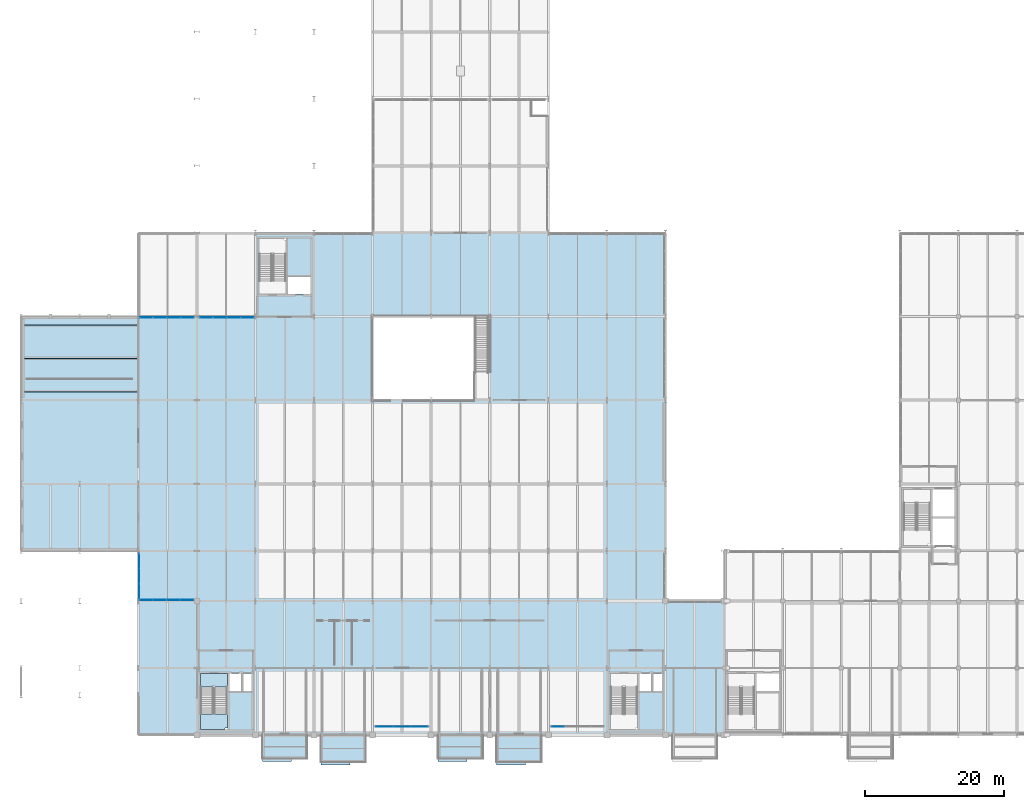
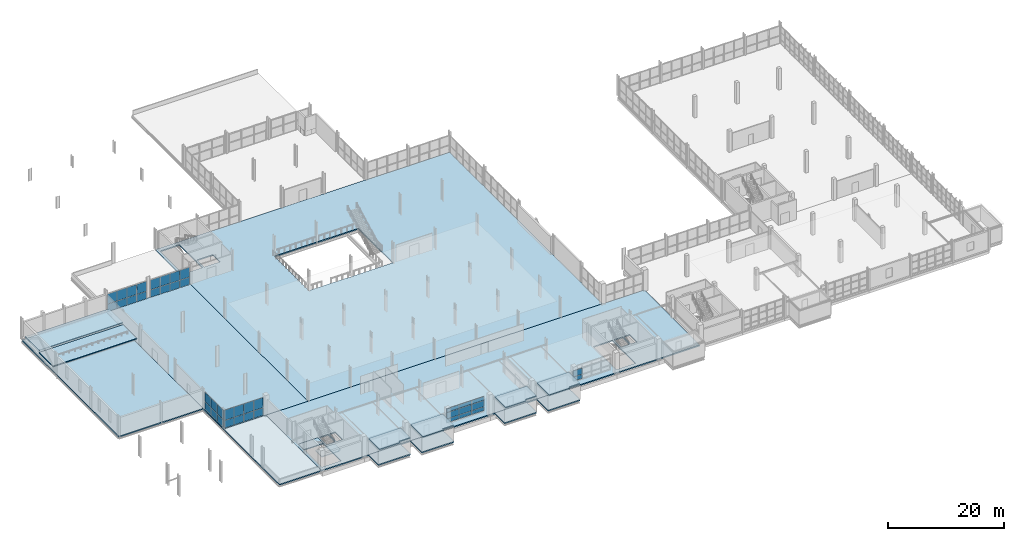
# One storey, part 87 of 113: 41 plates, 17 slabs, 7 elements without a shape of their own.
"""IFC4 building model written with IfcOpenShell, lengths in metres."""

import ifcopenshell
import ifcopenshell.guid

model = None  # the IFC model being written
_history = None  # IfcOwnerHistory: only IFC2X3 demands one
_inside = {}  # id of a spatial element -> (the spatial element, [elements in it])
_under = {}  # id of a project, library or spatial element -> (it, [spatial elements below it])
_declared = {}  # id of a project -> (the project, [libraries it declares])
_typed = {}  # id of a type object -> (the type object, [elements of that type])
_made_of = {}  # id of a material, layer set ... -> (it, [elements and type objects made of it])


def new_model(schema):
    """Start an empty IFC model of exactly this schema.

    Asked for "IFC4X3", IfcOpenShell would pick the latest addendum, in which some entities
    have other attributes; the version numbers below select the first issue.
    IFC2X3 requires an IfcOwnerHistory on every rooted entity: one is made here for all.
    """
    global model, _history
    if schema == "IFC4X3":
        model = ifcopenshell.file(schema_version=(4, 3, 0, 0))
    else:
        model = ifcopenshell.file(schema=schema)
    _inside.clear()
    _under.clear()
    _declared.clear()
    _typed.clear()
    _made_of.clear()
    _history = None
    if model.schema == "IFC2X3":
        org = make("IfcOrganization", Name="unknown")
        user = make(
            "IfcPersonAndOrganization",
            ThePerson=make("IfcPerson", FamilyName="unknown"),
            TheOrganization=org,
        )
        app = make(
            "IfcApplication",
            ApplicationDeveloper=org,
            Version="unknown",
            ApplicationFullName="unknown",
            ApplicationIdentifier="unknown",
        )
        _history = make(
            "IfcOwnerHistory",
            OwningUser=user,
            OwningApplication=app,
            ChangeAction="ADDED",
            CreationDate=0,
        )
    return model


def make(cls, **values):
    """One entity of the class cls with the attributes given. An attribute that is None is left unset."""
    return model.create_entity(
        cls, **{name: value for name, value in values.items() if value is not None}
    )


def rooted(cls, **values):
    """An entity with a GlobalId (a new one), such as an element, a storey or a relation."""
    return make(cls, GlobalId=ifcopenshell.guid.new(), OwnerHistory=_history, **values)


def si_unit(unit_type, name, prefix=None):
    """IfcSIUnit, for example si_unit("LENGTHUNIT", "METRE", prefix="MILLI")."""
    return make("IfcSIUnit", UnitType=unit_type, Prefix=prefix, Name=name)


def assignment(units):
    """IfcUnitAssignment: the units of a project."""
    return None if units is None else make("IfcUnitAssignment", Units=units)


def point(xyz):
    """IfcCartesianPoint."""
    return None if xyz is None else make("IfcCartesianPoint", Coordinates=xyz)


def direction(xyz):
    """IfcDirection."""
    return None if xyz is None else make("IfcDirection", DirectionRatios=xyz)


def frame(location, z_axis=None, x_axis=None):
    """IfcAxis2Placement3D, a coordinate frame: its origin and axes. An axis left out is left unset."""
    return make(
        "IfcAxis2Placement3D",
        Location=point(location),
        Axis=direction(z_axis),
        RefDirection=direction(x_axis),
    )


def frame_2d(location, x_axis=None):
    """IfcAxis2Placement2D, a coordinate frame in the plane: its origin and x axis."""
    return make(
        "IfcAxis2Placement2D", Location=point(location), RefDirection=direction(x_axis)
    )


def origin():
    """The frame at (0, 0, 0) with its axes left unset."""
    return frame((0.0, 0.0, 0.0))


def origin_2d():
    """The frame at (0, 0) in the plane with its x axis left unset."""
    return frame_2d((0.0, 0.0))


def place(relative_to, where):
    """IfcLocalPlacement: puts the frame where relative to a parent placement (None: the world)."""
    return make(
        "IfcLocalPlacement", PlacementRelTo=relative_to, RelativePlacement=where
    )


def context(
    kind, dimensions, precision=None, world=None, true_north=None, identifier=None
):
    """IfcGeometricRepresentationContext, for example the 3D "Model" context."""
    return make(
        "IfcGeometricRepresentationContext",
        ContextIdentifier=identifier,
        ContextType=kind,
        CoordinateSpaceDimension=dimensions,
        Precision=precision,
        WorldCoordinateSystem=world,
        TrueNorth=true_north,
    )


def subcontext(parent, identifier, kind, view, scale=None):
    """IfcGeometricRepresentationSubContext, for example "Body" below "Model"."""
    return make(
        "IfcGeometricRepresentationSubContext",
        ContextIdentifier=identifier,
        ContextType=kind,
        ParentContext=parent,
        TargetScale=scale,
        TargetView=view,
    )


def project(units=None, contexts=None):
    """IfcProject with its units and contexts."""
    return rooted(
        "IfcProject",
        Name="project",
        RepresentationContexts=contexts,
        UnitsInContext=assignment(units),
    )


def spatial(cls, under=None, at=None, **own):
    """A site, building, storey or space (cls), placed at a placement, below another one or the project."""
    s = rooted(cls, ObjectPlacement=at, **own)
    if under is not None:
        _under.setdefault(under.id(), (under, []))[1].append(s)
    return s


def polyline(points):
    """IfcPolyline through the points."""
    return make("IfcPolyline", Points=[point(p) for p in points])


def profile(cls, at=None, kind="AREA", **sizes):
    """A parametric profile (cls). Its sizes go by their IFC names, for example OverallWidth=200.0."""
    return make(cls, ProfileType=kind, Position=at, **sizes)


def rectangle(**sizes):
    """IfcRectangleProfileDef."""
    return profile("IfcRectangleProfileDef", **sizes)


def outline(outer, holes=None, kind="AREA"):
    """IfcArbitraryClosedProfileDef: a profile drawn as a closed curve; with holes, ...WithVoids."""
    if holes is None:
        return make("IfcArbitraryClosedProfileDef", ProfileType=kind, OuterCurve=outer)
    return make(
        "IfcArbitraryProfileDefWithVoids",
        ProfileType=kind,
        OuterCurve=outer,
        InnerCurves=holes,
    )


def extrude(swept, where, along, depth):
    """IfcExtrudedAreaSolid: the profile swept, set in the frame where, extruded along a direction by depth."""
    return make(
        "IfcExtrudedAreaSolid",
        SweptArea=swept,
        Position=where,
        ExtrudedDirection=direction(along),
        Depth=depth,
    )


def shape(context_of_items, identifier, shape_type, items):
    """IfcShapeRepresentation: the items that make up one representation, for example the "Body"."""
    return make(
        "IfcShapeRepresentation",
        ContextOfItems=context_of_items,
        RepresentationIdentifier=identifier,
        RepresentationType=shape_type,
        Items=items,
    )


def material(Name=None, Category=None):
    """IfcMaterial."""
    return make("IfcMaterial", Name=Name, Category=Category)


def layer(
    of_material, thickness, ventilated=None, Name=None, Category=None, Priority=None
):
    """IfcMaterialLayer: one layer of a wall or slab, of a material (None: an air gap)."""
    return make(
        "IfcMaterialLayer",
        Material=of_material,
        LayerThickness=thickness,
        IsVentilated=ventilated,
        Name=Name,
        Category=Category,
        Priority=Priority,
    )


def layer_set(layers, Name=None):
    """IfcMaterialLayerSet."""
    return make("IfcMaterialLayerSet", MaterialLayers=layers, LayerSetName=Name)


def made_of(thing, what):
    """Note that an element or type object is made of a material, layer set ...; save() writes the relation."""
    if what is not None:
        _made_of.setdefault(what.id(), (what, []))[1].append(thing)
    return thing


def type_object(cls, material=None, **own):
    """A type object (cls), such as IfcWallType, which elements share."""
    return made_of(rooted(cls, **own), material)


def element(
    cls,
    number,
    at=None,
    inside=None,
    cuts=None,
    type_object=None,
    material=None,
    context=None,
    identifier="Body",
    shape_type=None,
    held_by="IfcProductDefinitionShape",
    body=None,
    shapes=None,
    **own,
):
    """One element of the class cls, such as IfcWall. Its Tag is "e" and its number.

    at: its placement. inside: the storey or other place that contains it. cuts: it is an
    opening in that element (IfcRelVoidsElement). A single representation is given by context,
    identifier, shape_type and body (its items); several are given by shapes. held_by: the class
    of the entity that holds the representations. save() writes the other relations.
    """
    e = rooted(cls, Tag="e%d" % number, ObjectPlacement=at, **own)
    if body is not None:
        shapes = [shape(context, identifier, shape_type, body)]
    if shapes is not None:
        e.Representation = make(held_by, Representations=shapes)
    if inside is not None:
        _inside.setdefault(inside.id(), (inside, []))[1].append(e)
    if cuts is not None:
        rooted(
            "IfcRelVoidsElement", RelatingBuildingElement=cuts, RelatedOpeningElement=e
        )
    if type_object is not None:
        _typed.setdefault(type_object.id(), (type_object, []))[1].append(e)
    return made_of(e, material)


def aggregate(whole, parts):
    """IfcRelAggregates: a whole, such as a stair, and the parts it consists of."""
    return rooted("IfcRelAggregates", RelatingObject=whole, RelatedObjects=parts)


def save(model, path):
    """Write the relations noted so far, then the file.

    IfcRelAggregates (storeys below a building ...), IfcRelContainedInSpatialStructure (elements
    in a storey), IfcRelDefinesByType, IfcRelAssociatesMaterial and IfcRelDeclares: one each for
    every whole, place, type object, material and project.
    """
    for whole, parts in _under.values():
        aggregate(whole, parts)
    for where, things in _inside.values():
        rooted(
            "IfcRelContainedInSpatialStructure",
            RelatedElements=things,
            RelatingStructure=where,
        )
    for kind, things in _typed.values():
        rooted("IfcRelDefinesByType", RelatedObjects=things, RelatingType=kind)
    for what, things in _made_of.values():
        rooted("IfcRelAssociatesMaterial", RelatedObjects=things, RelatingMaterial=what)
    for by, libraries in _declared.values():
        rooted("IfcRelDeclares", RelatingContext=by, RelatedDefinitions=libraries)
    model.write(path)


model = new_model("IFC4")

# Units and contexts
model_context = context("Model", 3, precision=1e-05, world=origin(), true_north=direction((0.0, 1.0)))
body_context = subcontext(model_context, "Body", "Model", "MODEL_VIEW")
ifc_project = project(units=[si_unit("LENGTHUNIT", "METRE"), si_unit("AREAUNIT", "SQUARE_METRE"), si_unit("VOLUMEUNIT", "CUBIC_METRE"), si_unit("PLANEANGLEUNIT", "RADIAN"), si_unit("MASSUNIT", "GRAM", prefix="KILO")], contexts=[model_context])

# Site, building, storey
site_placement = place(None, origin())
site = spatial("IfcSite", under=ifc_project, at=site_placement, CompositionType="ELEMENT")
building_placement = place(site_placement, origin())
building = spatial("IfcBuilding", under=site, at=building_placement, Name="Veltarok Museum of Natural Sciences", CompositionType="ELEMENT")
storey_placement = place(building_placement, frame((0.0, 0.0, 8.39990234375)))
storey = spatial("IfcBuildingStorey", under=building, at=storey_placement, Name="L01", CompositionType="ELEMENT", Elevation=8.39990234375)

# Slabs
ifc_material_1 = material(Name="Precast concrete C40/50", Category="concrete")
ifc_layer_1 = layer(ifc_material_1, 0.179931640625)
ifc_layer_set_1 = layer_set([ifc_layer_1], Name="Precast concrete C40/50")
slab_type_1 = type_object("IfcSlabType", Name="Auditorium Raked Seating Tier Slab 180", PredefinedType="USERDEFINED", material=ifc_layer_set_1)
slab_1_placement = place(storey_placement, frame((0.0, 0.0, 0.800048828125)))
element("IfcSlab", 1, at=slab_1_placement, inside=storey, type_object=slab_type_1, Name="Stand Balcony Auditorium Tier 1", ObjectType="SEATING TIER", PredefinedType="USERDEFINED", context=body_context, shape_type="SweptSolid", body=[
    extrude(outline(polyline([(6.39990234375, 49.199951171875), (23.199951171875, 49.199951171875), (23.199951171875, 54.0), (6.39990234375, 54.0), (6.39990234375, 49.199951171875)])), origin(), (0.0, 0.0, 1.0), 0.179931640625),
])
slab_2_placement = place(storey_placement, frame((0.0, 0.0, 1.25)))
element("IfcSlab", 2, at=slab_2_placement, inside=storey, type_object=slab_type_1, Name="Stand Balcony Auditorium Tier 2", ObjectType="SEATING TIER", PredefinedType="USERDEFINED", context=body_context, shape_type="SweptSolid", body=[
    extrude(outline(polyline([(6.39990234375, 54.0), (23.199951171875, 54.0), (23.199951171875, 58.800048828125), (6.39990234375, 58.800048828125), (6.39990234375, 54.0)])), origin(), (0.0, 0.0, 1.0), 0.18017578125),
])
ifc_material_2 = material(Name="Concrete C35/45", Category="concrete")
ifc_layer_2 = layer(ifc_material_2, 0.199951171875)
ifc_layer_set_2 = layer_set([ifc_layer_2], Name="Concrete C35/45")
slab_type_2 = type_object("IfcSlabType", Name="Cantilevered Cabinet Box Roof Slab 200", PredefinedType="ROOF", material=ifc_layer_set_2)
slab_3_placement = place(storey_placement, frame((0.0, 0.0, 3.25)))
element("IfcSlab", 3, at=slab_3_placement, inside=storey, type_object=slab_type_2, Name="Cabinet Box Roof Slab DB-01", PredefinedType="ROOF", context=body_context, shape_type="SweptSolid", body=[
    extrude(outline(polyline([(41.0, -3.780029296875), (45.159912109375, -3.780029296875), (45.159912109375, -3.39990234375), (47.39990234375, -3.39990234375), (47.39990234375, 0.0), (41.0, 0.0), (41.0, -3.780029296875)])), origin(), (0.0, 0.0, 1.0), 0.2001953125),
])
slab_4_placement = place(storey_placement, frame((0.0, 0.0, 3.25)))
element("IfcSlab", 4, at=slab_4_placement, inside=storey, type_object=slab_type_2, Name="Cabinet Box Roof Slab DB-02", PredefinedType="ROOF", context=body_context, shape_type="SweptSolid", body=[
    extrude(outline(polyline([(49.39990234375, -4.280029296875), (53.56005859375, -4.280029296875), (53.56005859375, -3.89990234375), (55.800048828125, -3.89990234375), (55.800048828125, 0.0), (49.39990234375, 0.0), (49.39990234375, -4.280029296875)])), origin(), (0.0, 0.0, 1.0), 0.2001953125),
])
slab_5_placement = place(storey_placement, frame((0.0, 0.0, 3.25)))
element("IfcSlab", 5, at=slab_5_placement, inside=storey, type_object=slab_type_2, Name="Cabinet Box Roof Slab DB-03", PredefinedType="ROOF", context=body_context, shape_type="SweptSolid", body=[
    extrude(outline(polyline([(66.199951171875, -3.780029296875), (70.360107421875, -3.780029296875), (70.360107421875, -3.39990234375), (72.60009765625, -3.39990234375), (72.60009765625, 0.0), (66.199951171875, 0.0), (66.199951171875, -3.780029296875)])), origin(), (0.0, 0.0, 1.0), 0.2001953125),
])
slab_6_placement = place(storey_placement, frame((0.0, 0.0, 3.25)))
element("IfcSlab", 6, at=slab_6_placement, inside=storey, type_object=slab_type_2, Name="Cabinet Box Roof Slab DB-04", PredefinedType="ROOF", context=body_context, shape_type="SweptSolid", body=[
    extrude(outline(polyline([(74.60009765625, -4.280029296875), (78.760009765625, -4.280029296875), (78.760009765625, -3.89990234375), (81.0, -3.89990234375), (81.0, 0.0), (74.60009765625, 0.0), (74.60009765625, -4.280029296875)])), origin(), (0.0, 0.0, 1.0), 0.2001953125),
])
ifc_layer_3 = layer(ifc_material_2, 0.239990234375)
ifc_layer_set_3 = layer_set([ifc_layer_3], Name="Concrete C35/45")
slab_type_3 = type_object("IfcSlabType", Name="Insulated Flat Wing Roof Slab 240", PredefinedType="ROOF", material=ifc_layer_set_3)
slab_7_placement = place(storey_placement, frame((0.0, 0.0, -0.239990234375)))
element("IfcSlab", 7, at=slab_7_placement, inside=storey, type_object=slab_type_3, Name="Flat Wing Roof Slab RF-V6S", PredefinedType="ROOF", context=body_context, shape_type="SweptSolid", body=[
    extrude(outline(polyline([(23.199951171875, 0.0), (23.199951171875, 19.179931640625), (31.580078125, 19.179931640625), (31.580078125, 0.0), (23.199951171875, 0.0)])), origin(), (0.0, 0.0, 1.0), 0.239990234375),
])
ifc_layer_4 = layer(ifc_material_2, 0.199951171875)
ifc_layer_set_4 = layer_set([ifc_layer_4], Name="Concrete C35/45")
slab_type_4 = type_object("IfcSlabType", Name="Protected Stair Intermediate Landing Slab 200", PredefinedType="LANDING", material=ifc_layer_set_4)
slab_8_placement = place(storey_placement, frame((0.0, 0.0, -0.199951171875)))
element("IfcSlab", 8, at=slab_8_placement, inside=storey, type_object=slab_type_4, Name="Stairwell Floor Landing ST-01 L01", PredefinedType="LANDING", context=body_context, shape_type="SweptSolid", body=[
    extrude(outline(polyline([(32.110107421875, 6.89990234375), (35.989990234375, 6.89990234375), (35.989990234375, 8.820068359375), (32.110107421875, 8.820068359375), (32.110107421875, 6.89990234375)])), origin(), (0.0, 0.0, 1.0), 0.199951171875),
])

# Stair, slab
stair_type = type_object("IfcStairType", Name="Protected Half-Turn Escape Stair H4500", PredefinedType="HALF_TURN_STAIR", material=ifc_material_1)
stair_placement = place(storey_placement, origin())
stair = element("IfcStair", 9, at=stair_placement, inside=storey, type_object=stair_type, Name="Protected Escape Stair ST-01-L01", PredefinedType="HALF_TURN_STAIR")
slab_9_placement = place(storey_placement, frame((0.0, 0.0, 2.050048828125)))
slab_9 = element("IfcSlab", 10, at=slab_9_placement, type_object=slab_type_4, Name="ST-01-L01 landing 1", PredefinedType="LANDING", context=body_context, shape_type="SweptSolid", body=[
    extrude(outline(polyline([(32.110107421875, 0.780029296875), (35.669921875, 0.780029296875), (35.669921875, 1.02001953125), (35.989990234375, 1.02001953125), (35.989990234375, 3.0), (32.110107421875, 3.0), (32.110107421875, 0.780029296875)])), origin(), (0.0, 0.0, 1.0), 0.199951171875),
])
aggregate(stair, [slab_9])

# Slabs
ifc_layer_5 = layer(ifc_material_2, 0.25)
ifc_layer_set_5 = layer_set([ifc_layer_5], Name="Concrete C35/45")
slab_type_5 = type_object("IfcSlabType", Name="Suspended Museum Floor Slab 250", PredefinedType="FLOOR", material=ifc_layer_set_5)
slab_10_placement = place(storey_placement, frame((0.0, 0.0, -0.25)))
element("IfcSlab", 11, at=slab_10_placement, inside=storey, type_object=slab_type_5, Name="Floor Slab L01 V1", PredefinedType="FLOOR", context=body_context, shape_type="SweptSolid", body=[
    extrude(outline(polyline([(31.60009765625, 0.0), (31.60009765625, 19.199951171875), (107.175048828125, 19.199951171875), (107.175048828125, 0.0), (31.60009765625, 0.0)]), holes=[polyline([(32.1298828125, 8.800048828125), (32.1298828125, 0.800048828125), (35.969970703125, 0.800048828125), (35.969970703125, 8.800048828125), (32.1298828125, 8.800048828125)]), polyline([(94.77001953125, 8.800048828125), (90.929931640625, 8.800048828125), (90.929931640625, 0.800048828125), (94.77001953125, 0.800048828125), (94.77001953125, 8.800048828125)]), polyline([(37.989990234375, 8.800048828125), (36.27001953125, 8.800048828125), (36.27001953125, 6.300048828125), (37.989990234375, 6.300048828125), (37.989990234375, 8.800048828125)]), polyline([(39.469970703125, 8.800048828125), (38.239990234375, 8.800048828125), (38.239990234375, 6.300048828125), (39.469970703125, 6.300048828125), (39.469970703125, 8.800048828125)]), polyline([(96.7900390625, 8.800048828125), (95.070068359375, 8.800048828125), (95.070068359375, 6.300048828125), (96.7900390625, 6.300048828125), (96.7900390625, 8.800048828125)]), polyline([(98.27001953125, 8.800048828125), (97.0400390625, 8.800048828125), (97.0400390625, 6.300048828125), (98.27001953125, 6.300048828125), (98.27001953125, 8.800048828125)])]), origin(), (0.0, 0.0, 1.0), 0.25),
])
slab_11_placement = place(storey_placement, frame((0.0, 0.0, -0.25)))
element("IfcSlab", 12, at=slab_11_placement, inside=storey, type_object=slab_type_5, Name="Floor Slab L01 V6C", PredefinedType="FLOOR", context=body_context, shape_type="SweptSolid", body=[
    extrude(outline(polyline([(23.199951171875, 19.199951171875), (23.199951171875, 60.0), (40.0, 60.0), (40.0, 19.199951171875), (23.199951171875, 19.199951171875)])), origin(), (0.0, 0.0, 1.0), 0.25),
])
slab_12_placement = place(storey_placement, frame((0.0, 0.0, -0.25)))
element("IfcSlab", 13, at=slab_12_placement, inside=storey, type_object=slab_type_5, Name="Floor Slab L01 V3", PredefinedType="FLOOR", context=body_context, shape_type="SweptSolid", body=[
    extrude(outline(polyline([(6.39990234375, 26.39990234375), (6.39990234375, 60.0), (23.199951171875, 60.0), (23.199951171875, 26.39990234375), (6.39990234375, 26.39990234375)])), origin(), (0.0, 0.0, 1.0), 0.25),
])
slab_13_placement = place(storey_placement, frame((0.0, 0.0, -0.25)))
element("IfcSlab", 14, at=slab_13_placement, inside=storey, type_object=slab_type_5, Name="Floor Slab L01 V2", PredefinedType="FLOOR", context=body_context, shape_type="SweptSolid", body=[
    extrude(outline(polyline([(40.0, 19.199951171875), (40.0, 72.0), (98.800048828125, 72.0), (98.800048828125, 19.199951171875), (40.0, 19.199951171875)]), holes=[polyline([(73.60009765625, 60.0), (56.800048828125, 60.0), (56.800048828125, 48.0), (73.60009765625, 48.0), (73.60009765625, 60.0)]), polyline([(47.8701171875, 65.699951171875), (44.669921875, 65.699951171875), (44.669921875, 63.199951171875), (47.8701171875, 63.199951171875), (47.8701171875, 65.699951171875)]), polyline([(44.3701171875, 71.199951171875), (40.530029296875, 71.199951171875), (40.530029296875, 63.199951171875), (44.3701171875, 63.199951171875), (44.3701171875, 71.199951171875)])]), origin(), (0.0, 0.0, 1.0), 0.25),
])
slab_14_placement = place(storey_placement, frame((0.0, 0.0, -0.25)))
element("IfcSlab", 15, at=slab_14_placement, inside=storey, type_object=slab_type_5, Name="Cabinet Box Floor Slab DB-01", PredefinedType="FLOOR", context=body_context, shape_type="SweptSolid", body=[
    extrude(outline(polyline([(41.0, -3.39990234375), (47.39990234375, -3.39990234375), (47.39990234375, 0.0), (41.0, 0.0), (41.0, -3.39990234375)])), origin(), (0.0, 0.0, 1.0), 0.25),
])
slab_15_placement = place(storey_placement, frame((0.0, 0.0, -0.25)))
element("IfcSlab", 16, at=slab_15_placement, inside=storey, type_object=slab_type_5, Name="Cabinet Box Floor Slab DB-02", PredefinedType="FLOOR", context=body_context, shape_type="SweptSolid", body=[
    extrude(outline(polyline([(49.39990234375, -3.89990234375), (55.800048828125, -3.89990234375), (55.800048828125, 0.0), (49.39990234375, 0.0), (49.39990234375, -3.89990234375)])), origin(), (0.0, 0.0, 1.0), 0.25),
])
slab_16_placement = place(storey_placement, frame((0.0, 0.0, -0.25)))
element("IfcSlab", 17, at=slab_16_placement, inside=storey, type_object=slab_type_5, Name="Cabinet Box Floor Slab DB-03", PredefinedType="FLOOR", context=body_context, shape_type="SweptSolid", body=[
    extrude(outline(polyline([(66.199951171875, -3.39990234375), (72.60009765625, -3.39990234375), (72.60009765625, 0.0), (66.199951171875, 0.0), (66.199951171875, -3.39990234375)])), origin(), (0.0, 0.0, 1.0), 0.25),
])
slab_17_placement = place(storey_placement, frame((0.0, 0.0, -0.25)))
element("IfcSlab", 18, at=slab_17_placement, inside=storey, type_object=slab_type_5, Name="Cabinet Box Floor Slab DB-04", PredefinedType="FLOOR", context=body_context, shape_type="SweptSolid", body=[
    extrude(outline(polyline([(74.60009765625, -3.89990234375), (81.0, -3.89990234375), (81.0, 0.0), (74.60009765625, 0.0), (74.60009765625, -3.89990234375)])), origin(), (0.0, 0.0, 1.0), 0.25),
])

# Curtain wall, plates
ifc_material_3 = material(Name="Low-iron triple insulated glass", Category="glass")
curtain_wall_type_1 = type_object("IfcCurtainWallType", Name="Curtain Wall System CW-CAB-L01-B-755x307 (V1 Recessed L01 755x307cm)", PredefinedType="NOTDEFINED", material=ifc_material_3)
curtain_wall_1_placement = place(storey_placement, origin())
curtain_wall_1 = element("IfcCurtainWall", 19, at=curtain_wall_1_placement, inside=storey, type_object=curtain_wall_type_1, Name="Curtain Wall CW-CAB-L01-B-755x307 CW-0001", PredefinedType="NOTDEFINED")
ifc_layer_6 = layer(ifc_material_3, 0.028076171875)
ifc_layer_set_6 = layer_set([ifc_layer_6], Name="Low-iron triple insulated glass")
plate_type = type_object("IfcPlateType", Name="Triple Low-Iron Glazed Vision Panel 28", PredefinedType="CURTAIN_PANEL", material=ifc_layer_set_6)
plate_1_placement = place(storey_placement, frame((58.498291015625, 1.199951171875, 0.320068359375), z_axis=(0.0, 0.0, 1.0), x_axis=(1.0, 0.0, 0.0)))
plate_1 = element("IfcPlate", 20, at=plate_1_placement, type_object=plate_type, Name="CW-CAB-L01-B-755x307 panel 1.1", PredefinedType="CURTAIN_PANEL", context=body_context, shape_type="SweptSolid", body=[
    extrude(rectangle(XDim=2.4267578125, YDim=0.028076171875, at=origin_2d()), origin(), (0.0, 0.0, 1.0), 0.75),
])
plate_2_placement = place(storey_placement, frame((58.498291015625, 1.199951171875, 1.130126953125), z_axis=(0.0, 0.0, 1.0), x_axis=(1.0, 0.0, 0.0)))
plate_2 = element("IfcPlate", 21, at=plate_2_placement, type_object=plate_type, Name="CW-CAB-L01-B-755x307 panel 1.2", PredefinedType="CURTAIN_PANEL", context=body_context, shape_type="SweptSolid", body=[
    extrude(rectangle(XDim=2.4267578125, YDim=0.028076171875, at=origin_2d()), origin(), (0.0, 0.0, 1.0), 1.2900390625),
])
plate_3_placement = place(storey_placement, frame((58.498291015625, 1.199951171875, 2.480224609375), z_axis=(0.0, 0.0, 1.0), x_axis=(1.0, 0.0, 0.0)))
plate_3 = element("IfcPlate", 22, at=plate_3_placement, type_object=plate_type, Name="CW-CAB-L01-B-755x307 panel 1.3", PredefinedType="CURTAIN_PANEL", context=body_context, shape_type="SweptSolid", body=[
    extrude(rectangle(XDim=2.4267578125, YDim=0.028076171875, at=origin_2d()), origin(), (0.0, 0.0, 1.0), 0.794921875),
])
plate_4_placement = place(storey_placement, frame((61.0, 1.199951171875, 0.320068359375), z_axis=(0.0, 0.0, 1.0), x_axis=(1.0, 0.0, 0.0)))
plate_4 = element("IfcPlate", 23, at=plate_4_placement, type_object=plate_type, Name="CW-CAB-L01-B-755x307 panel 2.1", PredefinedType="CURTAIN_PANEL", context=body_context, shape_type="SweptSolid", body=[
    extrude(rectangle(XDim=2.456787109375, YDim=0.028076171875, at=origin_2d()), origin(), (0.0, 0.0, 1.0), 0.75),
])
plate_5_placement = place(storey_placement, frame((61.0, 1.199951171875, 1.130126953125), z_axis=(0.0, 0.0, 1.0), x_axis=(1.0, 0.0, 0.0)))
plate_5 = element("IfcPlate", 24, at=plate_5_placement, type_object=plate_type, Name="CW-CAB-L01-B-755x307 panel 2.2", PredefinedType="CURTAIN_PANEL", context=body_context, shape_type="SweptSolid", body=[
    extrude(rectangle(XDim=2.456787109375, YDim=0.028076171875, at=origin_2d()), origin(), (0.0, 0.0, 1.0), 1.2900390625),
])
plate_6_placement = place(storey_placement, frame((61.0, 1.199951171875, 2.480224609375), z_axis=(0.0, 0.0, 1.0), x_axis=(1.0, 0.0, 0.0)))
plate_6 = element("IfcPlate", 25, at=plate_6_placement, type_object=plate_type, Name="CW-CAB-L01-B-755x307 panel 2.3", PredefinedType="CURTAIN_PANEL", context=body_context, shape_type="SweptSolid", body=[
    extrude(rectangle(XDim=2.456787109375, YDim=0.028076171875, at=origin_2d()), origin(), (0.0, 0.0, 1.0), 0.794921875),
])
plate_7_placement = place(storey_placement, frame((63.501708984375, 1.199951171875, 0.320068359375), z_axis=(0.0, 0.0, 1.0), x_axis=(1.0, 0.0, 0.0)))
plate_7 = element("IfcPlate", 26, at=plate_7_placement, type_object=plate_type, Name="CW-CAB-L01-B-755x307 panel 3.1", PredefinedType="CURTAIN_PANEL", context=body_context, shape_type="SweptSolid", body=[
    extrude(rectangle(XDim=2.4267578125, YDim=0.028076171875, at=origin_2d()), origin(), (0.0, 0.0, 1.0), 0.75),
])
plate_8_placement = place(storey_placement, frame((63.501708984375, 1.199951171875, 1.130126953125), z_axis=(0.0, 0.0, 1.0), x_axis=(1.0, 0.0, 0.0)))
plate_8 = element("IfcPlate", 27, at=plate_8_placement, type_object=plate_type, Name="CW-CAB-L01-B-755x307 panel 3.2", PredefinedType="CURTAIN_PANEL", context=body_context, shape_type="SweptSolid", body=[
    extrude(rectangle(XDim=2.4267578125, YDim=0.028076171875, at=origin_2d()), origin(), (0.0, 0.0, 1.0), 1.2900390625),
])
plate_9_placement = place(storey_placement, frame((63.501708984375, 1.199951171875, 2.480224609375), z_axis=(0.0, 0.0, 1.0), x_axis=(1.0, 0.0, 0.0)))
plate_9 = element("IfcPlate", 28, at=plate_9_placement, type_object=plate_type, Name="CW-CAB-L01-B-755x307 panel 3.3", PredefinedType="CURTAIN_PANEL", context=body_context, shape_type="SweptSolid", body=[
    extrude(rectangle(XDim=2.4267578125, YDim=0.028076171875, at=origin_2d()), origin(), (0.0, 0.0, 1.0), 0.794921875),
])
aggregate(curtain_wall_1, [plate_1, plate_2, plate_3, plate_4, plate_5, plate_6, plate_7, plate_8, plate_9])

curtain_wall_type_2 = type_object("IfcCurtainWallType", Name="Curtain Wall System CW-CAB-L01-A-755x315 (V1 Recessed L01 755x315cm)", PredefinedType="NOTDEFINED", material=ifc_material_3)
curtain_wall_2_placement = place(storey_placement, origin())
curtain_wall_2 = element("IfcCurtainWall", 29, at=curtain_wall_2_placement, inside=storey, type_object=curtain_wall_type_2, Name="Curtain Wall CW-CAB-L01-A-755x315 CW-0002", PredefinedType="NOTDEFINED")
plate_10_placement = place(storey_placement, frame((83.3837890625, 1.199951171875, 0.239990234375), z_axis=(0.0, 0.0, 1.0), x_axis=(1.0, 0.0, 0.0)))
plate_10 = element("IfcPlate", 30, at=plate_10_placement, type_object=plate_type, Name="CW-CAB-L01-A-755x315 panel 1.1", PredefinedType="CURTAIN_PANEL", context=body_context, shape_type="SweptSolid", body=[
    extrude(rectangle(XDim=1.797607421875, YDim=0.028076171875, at=origin_2d()), origin(), (0.0, 0.0, 1.0), 0.830078125),
])
plate_11_placement = place(storey_placement, frame((83.3837890625, 1.199951171875, 1.130126953125), z_axis=(0.0, 0.0, 1.0), x_axis=(1.0, 0.0, 0.0)))
plate_11 = element("IfcPlate", 31, at=plate_11_placement, type_object=plate_type, Name="CW-CAB-L01-A-755x315 panel 1.2", PredefinedType="CURTAIN_PANEL", context=body_context, shape_type="SweptSolid", body=[
    extrude(rectangle(XDim=1.797607421875, YDim=0.028076171875, at=origin_2d()), origin(), (0.0, 0.0, 1.0), 1.2900390625),
])
aggregate(curtain_wall_2, [plate_10, plate_11])

curtain_wall_type_3 = type_object("IfcCurtainWallType", Name="Curtain Wall System CW-PASN1-L01-1-790x383 (CW-PASN1 L01 790x383cm)", PredefinedType="NOTDEFINED", material=ifc_material_3)
curtain_wall_3_placement = place(storey_placement, origin())
curtain_wall_3 = element("IfcCurtainWall", 32, at=curtain_wall_3_placement, inside=storey, type_object=curtain_wall_type_3, Name="Curtain Wall CW-PASN1-L01-1-790x383 CW-0209", PredefinedType="NOTDEFINED")
plate_12_placement = place(storey_placement, frame((30.24755859375, 59.85009765625, 0.05810546875), z_axis=(0.0, 0.0, 1.0), x_axis=(-1.0, 0.0, 0.0)))
plate_12 = element("IfcPlate", 33, at=plate_12_placement, type_object=plate_type, Name="CW-PASN1-L01-1-790x383 panel 1.1", PredefinedType="CURTAIN_PANEL", context=body_context, shape_type="SweptSolid", body=[
    extrude(rectangle(XDim=1.885009765625, YDim=0.028076171875, at=origin_2d()), origin(), (0.0, 0.0, 1.0), 1.56005859375),
])
plate_13_placement = place(storey_placement, frame((30.24755859375, 59.85009765625, 1.67822265625), z_axis=(0.0, 0.0, 1.0), x_axis=(-1.0, 0.0, 0.0)))
plate_13 = element("IfcPlate", 34, at=plate_13_placement, type_object=plate_type, Name="CW-PASN1-L01-1-790x383 panel 1.2", PredefinedType="CURTAIN_PANEL", context=body_context, shape_type="SweptSolid", body=[
    extrude(rectangle(XDim=1.885009765625, YDim=0.028076171875, at=origin_2d()), origin(), (0.0, 0.0, 1.0), 2.092041015625),
])
plate_14_placement = place(storey_placement, frame((28.28759765625, 59.85009765625, 0.05810546875), z_axis=(0.0, 0.0, 1.0), x_axis=(-1.0, 0.0, 0.0)))
plate_14 = element("IfcPlate", 35, at=plate_14_placement, type_object=plate_type, Name="CW-PASN1-L01-1-790x383 panel 2.1", PredefinedType="CURTAIN_PANEL", context=body_context, shape_type="SweptSolid", body=[
    extrude(rectangle(XDim=1.9150390625, YDim=0.028076171875, at=origin_2d()), origin(), (0.0, 0.0, 1.0), 1.56005859375),
])
plate_15_placement = place(storey_placement, frame((28.28759765625, 59.85009765625, 1.67822265625), z_axis=(0.0, 0.0, 1.0), x_axis=(-1.0, 0.0, 0.0)))
plate_15 = element("IfcPlate", 36, at=plate_15_placement, type_object=plate_type, Name="CW-PASN1-L01-1-790x383 panel 2.2", PredefinedType="CURTAIN_PANEL", context=body_context, shape_type="SweptSolid", body=[
    extrude(rectangle(XDim=1.9150390625, YDim=0.028076171875, at=origin_2d()), origin(), (0.0, 0.0, 1.0), 2.092041015625),
])
plate_16_placement = place(storey_placement, frame((26.3125, 59.85009765625, 0.05810546875), z_axis=(0.0, 0.0, 1.0), x_axis=(-1.0, 0.0, 0.0)))
plate_16 = element("IfcPlate", 37, at=plate_16_placement, type_object=plate_type, Name="CW-PASN1-L01-1-790x383 panel 3.1", PredefinedType="CURTAIN_PANEL", context=body_context, shape_type="SweptSolid", body=[
    extrude(rectangle(XDim=1.9150390625, YDim=0.028076171875, at=origin_2d()), origin(), (0.0, 0.0, 1.0), 1.56005859375),
])
plate_17_placement = place(storey_placement, frame((26.3125, 59.85009765625, 1.67822265625), z_axis=(0.0, 0.0, 1.0), x_axis=(-1.0, 0.0, 0.0)))
plate_17 = element("IfcPlate", 38, at=plate_17_placement, type_object=plate_type, Name="CW-PASN1-L01-1-790x383 panel 3.2", PredefinedType="CURTAIN_PANEL", context=body_context, shape_type="SweptSolid", body=[
    extrude(rectangle(XDim=1.9150390625, YDim=0.028076171875, at=origin_2d()), origin(), (0.0, 0.0, 1.0), 2.092041015625),
])
plate_18_placement = place(storey_placement, frame((24.3525390625, 59.85009765625, 0.05810546875), z_axis=(0.0, 0.0, 1.0), x_axis=(-1.0, 0.0, 0.0)))
plate_18 = element("IfcPlate", 39, at=plate_18_placement, type_object=plate_type, Name="CW-PASN1-L01-1-790x383 panel 4.1", PredefinedType="CURTAIN_PANEL", context=body_context, shape_type="SweptSolid", body=[
    extrude(rectangle(XDim=1.885009765625, YDim=0.028076171875, at=origin_2d()), origin(), (0.0, 0.0, 1.0), 1.56005859375),
])
plate_19_placement = place(storey_placement, frame((24.3525390625, 59.85009765625, 1.67822265625), z_axis=(0.0, 0.0, 1.0), x_axis=(-1.0, 0.0, 0.0)))
plate_19 = element("IfcPlate", 40, at=plate_19_placement, type_object=plate_type, Name="CW-PASN1-L01-1-790x383 panel 4.2", PredefinedType="CURTAIN_PANEL", context=body_context, shape_type="SweptSolid", body=[
    extrude(rectangle(XDim=1.885009765625, YDim=0.028076171875, at=origin_2d()), origin(), (0.0, 0.0, 1.0), 2.092041015625),
])
aggregate(curtain_wall_3, [plate_12, plate_13, plate_14, plate_15, plate_16, plate_17, plate_18, plate_19])

curtain_wall_type_4 = type_object("IfcCurtainWallType", Name="Curtain Wall System CW-PASN1-L01-2-790x378 (CW-PASN1 L01 790x378cm)", PredefinedType="NOTDEFINED", material=ifc_material_3)
curtain_wall_4_placement = place(storey_placement, origin())
curtain_wall_4 = element("IfcCurtainWall", 41, at=curtain_wall_4_placement, inside=storey, type_object=curtain_wall_type_4, Name="Curtain Wall CW-PASN1-L01-2-790x378 CW-0210", PredefinedType="NOTDEFINED")
plate_20_placement = place(storey_placement, frame((38.847412109375, 59.85009765625, 0.05810546875), z_axis=(0.0, 0.0, 1.0), x_axis=(-1.0, 0.0, 0.0)))
plate_20 = element("IfcPlate", 42, at=plate_20_placement, type_object=plate_type, Name="CW-PASN1-L01-2-790x378 panel 1.1", PredefinedType="CURTAIN_PANEL", context=body_context, shape_type="SweptSolid", body=[
    extrude(rectangle(XDim=1.885009765625, YDim=0.028076171875, at=origin_2d()), origin(), (0.0, 0.0, 1.0), 1.56005859375),
])
plate_21_placement = place(storey_placement, frame((38.847412109375, 59.85009765625, 1.67822265625), z_axis=(0.0, 0.0, 1.0), x_axis=(-1.0, 0.0, 0.0)))
plate_21 = element("IfcPlate", 43, at=plate_21_placement, type_object=plate_type, Name="CW-PASN1-L01-2-790x378 panel 1.2", PredefinedType="CURTAIN_PANEL", context=body_context, shape_type="SweptSolid", body=[
    extrude(rectangle(XDim=1.885009765625, YDim=0.028076171875, at=origin_2d()), origin(), (0.0, 0.0, 1.0), 2.0419921875),
])
plate_22_placement = place(storey_placement, frame((36.887451171875, 59.85009765625, 0.05810546875), z_axis=(0.0, 0.0, 1.0), x_axis=(-1.0, 0.0, 0.0)))
plate_22 = element("IfcPlate", 44, at=plate_22_placement, type_object=plate_type, Name="CW-PASN1-L01-2-790x378 panel 2.1", PredefinedType="CURTAIN_PANEL", context=body_context, shape_type="SweptSolid", body=[
    extrude(rectangle(XDim=1.9150390625, YDim=0.028076171875, at=origin_2d()), origin(), (0.0, 0.0, 1.0), 1.56005859375),
])
plate_23_placement = place(storey_placement, frame((36.887451171875, 59.85009765625, 1.67822265625), z_axis=(0.0, 0.0, 1.0), x_axis=(-1.0, 0.0, 0.0)))
plate_23 = element("IfcPlate", 45, at=plate_23_placement, type_object=plate_type, Name="CW-PASN1-L01-2-790x378 panel 2.2", PredefinedType="CURTAIN_PANEL", context=body_context, shape_type="SweptSolid", body=[
    extrude(rectangle(XDim=1.9150390625, YDim=0.028076171875, at=origin_2d()), origin(), (0.0, 0.0, 1.0), 2.0419921875),
])
plate_24_placement = place(storey_placement, frame((34.91259765625, 59.85009765625, 0.05810546875), z_axis=(0.0, 0.0, 1.0), x_axis=(-1.0, 0.0, 0.0)))
plate_24 = element("IfcPlate", 46, at=plate_24_placement, type_object=plate_type, Name="CW-PASN1-L01-2-790x378 panel 3.1", PredefinedType="CURTAIN_PANEL", context=body_context, shape_type="SweptSolid", body=[
    extrude(rectangle(XDim=1.9150390625, YDim=0.028076171875, at=origin_2d()), origin(), (0.0, 0.0, 1.0), 1.56005859375),
])
plate_25_placement = place(storey_placement, frame((34.91259765625, 59.85009765625, 1.67822265625), z_axis=(0.0, 0.0, 1.0), x_axis=(-1.0, 0.0, 0.0)))
plate_25 = element("IfcPlate", 47, at=plate_25_placement, type_object=plate_type, Name="CW-PASN1-L01-2-790x378 panel 3.2", PredefinedType="CURTAIN_PANEL", context=body_context, shape_type="SweptSolid", body=[
    extrude(rectangle(XDim=1.9150390625, YDim=0.028076171875, at=origin_2d()), origin(), (0.0, 0.0, 1.0), 2.0419921875),
])
plate_26_placement = place(storey_placement, frame((32.952392578125, 59.85009765625, 0.05810546875), z_axis=(0.0, 0.0, 1.0), x_axis=(-1.0, 0.0, 0.0)))
plate_26 = element("IfcPlate", 48, at=plate_26_placement, type_object=plate_type, Name="CW-PASN1-L01-2-790x378 panel 4.1", PredefinedType="CURTAIN_PANEL", context=body_context, shape_type="SweptSolid", body=[
    extrude(rectangle(XDim=1.885009765625, YDim=0.028076171875, at=origin_2d()), origin(), (0.0, 0.0, 1.0), 1.56005859375),
])
plate_27_placement = place(storey_placement, frame((32.952392578125, 59.85009765625, 1.67822265625), z_axis=(0.0, 0.0, 1.0), x_axis=(-1.0, 0.0, 0.0)))
plate_27 = element("IfcPlate", 49, at=plate_27_placement, type_object=plate_type, Name="CW-PASN1-L01-2-790x378 panel 4.2", PredefinedType="CURTAIN_PANEL", context=body_context, shape_type="SweptSolid", body=[
    extrude(rectangle(XDim=1.885009765625, YDim=0.028076171875, at=origin_2d()), origin(), (0.0, 0.0, 1.0), 2.0419921875),
])
aggregate(curtain_wall_4, [plate_20, plate_21, plate_22, plate_23, plate_24, plate_25, plate_26, plate_27])

curtain_wall_type_5 = type_object("IfcCurtainWallType", Name="Curtain Wall System CW-PASW1-L01-3-650x373 (CW-PASW1 L01 650x373cm)", PredefinedType="NOTDEFINED", material=ifc_material_3)
curtain_wall_5_placement = place(storey_placement, origin())
curtain_wall_5 = element("IfcCurtainWall", 50, at=curtain_wall_5_placement, inside=storey, type_object=curtain_wall_type_5, Name="Curtain Wall CW-PASW1-L01-3-650x373 CW-0211", PredefinedType="NOTDEFINED")
plate_28_placement = place(storey_placement, frame((23.35009765625, 20.6484375, 0.05810546875), z_axis=(0.0, 0.0, 1.0), x_axis=(0.0, 1.0, 0.0)))
plate_28 = element("IfcPlate", 51, at=plate_28_placement, type_object=plate_type, Name="CW-PASW1-L01-3-650x373 panel 1.1", PredefinedType="CURTAIN_PANEL", context=body_context, shape_type="SweptSolid", body=[
    extrude(rectangle(XDim=2.07666015625, YDim=0.028076171875, at=origin_2d()), origin(), (0.0, 0.0, 1.0), 1.56005859375),
])
plate_29_placement = place(storey_placement, frame((23.35009765625, 20.6484375, 1.67822265625), z_axis=(0.0, 0.0, 1.0), x_axis=(0.0, 1.0, 0.0)))
plate_29 = element("IfcPlate", 52, at=plate_29_placement, type_object=plate_type, Name="CW-PASW1-L01-3-650x373 panel 1.2", PredefinedType="CURTAIN_PANEL", context=body_context, shape_type="SweptSolid", body=[
    extrude(rectangle(XDim=2.07666015625, YDim=0.028076171875, at=origin_2d()), origin(), (0.0, 0.0, 1.0), 1.991943359375),
])
plate_30_placement = place(storey_placement, frame((23.35009765625, 22.800048828125, 0.05810546875), z_axis=(0.0, 0.0, 1.0), x_axis=(0.0, 1.0, 0.0)))
plate_30 = element("IfcPlate", 53, at=plate_30_placement, type_object=plate_type, Name="CW-PASW1-L01-3-650x373 panel 2.1", PredefinedType="CURTAIN_PANEL", context=body_context, shape_type="SweptSolid", body=[
    extrude(rectangle(XDim=2.106689453125, YDim=0.028076171875, at=origin_2d()), origin(), (0.0, 0.0, 1.0), 1.56005859375),
])
plate_31_placement = place(storey_placement, frame((23.35009765625, 22.800048828125, 1.67822265625), z_axis=(0.0, 0.0, 1.0), x_axis=(0.0, 1.0, 0.0)))
plate_31 = element("IfcPlate", 54, at=plate_31_placement, type_object=plate_type, Name="CW-PASW1-L01-3-650x373 panel 2.2", PredefinedType="CURTAIN_PANEL", context=body_context, shape_type="SweptSolid", body=[
    extrude(rectangle(XDim=2.106689453125, YDim=0.028076171875, at=origin_2d()), origin(), (0.0, 0.0, 1.0), 1.991943359375),
])
plate_32_placement = place(storey_placement, frame((23.35009765625, 24.95166015625, 0.05810546875), z_axis=(0.0, 0.0, 1.0), x_axis=(0.0, 1.0, 0.0)))
plate_32 = element("IfcPlate", 55, at=plate_32_placement, type_object=plate_type, Name="CW-PASW1-L01-3-650x373 panel 3.1", PredefinedType="CURTAIN_PANEL", context=body_context, shape_type="SweptSolid", body=[
    extrude(rectangle(XDim=2.07666015625, YDim=0.028076171875, at=origin_2d()), origin(), (0.0, 0.0, 1.0), 1.56005859375),
])
plate_33_placement = place(storey_placement, frame((23.35009765625, 24.95166015625, 1.67822265625), z_axis=(0.0, 0.0, 1.0), x_axis=(0.0, 1.0, 0.0)))
plate_33 = element("IfcPlate", 56, at=plate_33_placement, type_object=plate_type, Name="CW-PASW1-L01-3-650x373 panel 3.2", PredefinedType="CURTAIN_PANEL", context=body_context, shape_type="SweptSolid", body=[
    extrude(rectangle(XDim=2.07666015625, YDim=0.028076171875, at=origin_2d()), origin(), (0.0, 0.0, 1.0), 1.991943359375),
])
aggregate(curtain_wall_5, [plate_28, plate_29, plate_30, plate_31, plate_32, plate_33])

curtain_wall_type_6 = type_object("IfcCurtainWallType", Name="Curtain Wall System CW-PASS1-L01-0-782x388 (CW-PASS1 L01 782x388cm)", PredefinedType="NOTDEFINED", material=ifc_material_3)
curtain_wall_6_placement = place(storey_placement, origin())
curtain_wall_6 = element("IfcCurtainWall", 57, at=curtain_wall_6_placement, inside=storey, type_object=curtain_wall_type_6, Name="Curtain Wall CW-PASS1-L01-0-782x388 CW-0212", PredefinedType="NOTDEFINED")
plate_34_placement = place(storey_placement, frame((30.181884765625, 19.35009765625, 0.05810546875), z_axis=(0.0, 0.0, 1.0), x_axis=(-1.0, 0.0, 0.0)))
plate_34 = element("IfcPlate", 58, at=plate_34_placement, type_object=plate_type, Name="CW-PASS1-L01-0-782x388 panel 1.1", PredefinedType="CURTAIN_PANEL", context=body_context, shape_type="SweptSolid", body=[
    extrude(rectangle(XDim=1.8662109375, YDim=0.028076171875, at=origin_2d()), origin(), (0.0, 0.0, 1.0), 1.56005859375),
])
plate_35_placement = place(storey_placement, frame((30.181884765625, 19.35009765625, 1.677978515625), z_axis=(0.0, 0.0, 1.0), x_axis=(-1.0, 0.0, 0.0)))
plate_35 = element("IfcPlate", 59, at=plate_35_placement, type_object=plate_type, Name="CW-PASS1-L01-0-782x388 panel 1.2", PredefinedType="CURTAIN_PANEL", context=body_context, shape_type="SweptSolid", body=[
    extrude(rectangle(XDim=1.8662109375, YDim=0.028076171875, at=origin_2d()), origin(), (0.0, 0.0, 1.0), 2.14208984375),
])
plate_36_placement = place(storey_placement, frame((28.24072265625, 19.35009765625, 0.05810546875), z_axis=(0.0, 0.0, 1.0), x_axis=(-1.0, 0.0, 0.0)))
plate_36 = element("IfcPlate", 60, at=plate_36_placement, type_object=plate_type, Name="CW-PASS1-L01-0-782x388 panel 2.1", PredefinedType="CURTAIN_PANEL", context=body_context, shape_type="SweptSolid", body=[
    extrude(rectangle(XDim=1.896240234375, YDim=0.028076171875, at=origin_2d()), origin(), (0.0, 0.0, 1.0), 1.56005859375),
])
plate_37_placement = place(storey_placement, frame((28.24072265625, 19.35009765625, 1.677978515625), z_axis=(0.0, 0.0, 1.0), x_axis=(-1.0, 0.0, 0.0)))
plate_37 = element("IfcPlate", 61, at=plate_37_placement, type_object=plate_type, Name="CW-PASS1-L01-0-782x388 panel 2.2", PredefinedType="CURTAIN_PANEL", context=body_context, shape_type="SweptSolid", body=[
    extrude(rectangle(XDim=1.896240234375, YDim=0.028076171875, at=origin_2d()), origin(), (0.0, 0.0, 1.0), 2.14208984375),
])
plate_38_placement = place(storey_placement, frame((26.284423828125, 19.35009765625, 0.05810546875), z_axis=(0.0, 0.0, 1.0), x_axis=(-1.0, 0.0, 0.0)))
plate_38 = element("IfcPlate", 62, at=plate_38_placement, type_object=plate_type, Name="CW-PASS1-L01-0-782x388 panel 3.1", PredefinedType="CURTAIN_PANEL", context=body_context, shape_type="SweptSolid", body=[
    extrude(rectangle(XDim=1.896240234375, YDim=0.028076171875, at=origin_2d()), origin(), (0.0, 0.0, 1.0), 1.56005859375),
])
plate_39_placement = place(storey_placement, frame((26.284423828125, 19.35009765625, 1.677978515625), z_axis=(0.0, 0.0, 1.0), x_axis=(-1.0, 0.0, 0.0)))
plate_39 = element("IfcPlate", 63, at=plate_39_placement, type_object=plate_type, Name="CW-PASS1-L01-0-782x388 panel 3.2", PredefinedType="CURTAIN_PANEL", context=body_context, shape_type="SweptSolid", body=[
    extrude(rectangle(XDim=1.896240234375, YDim=0.028076171875, at=origin_2d()), origin(), (0.0, 0.0, 1.0), 2.14208984375),
])
plate_40_placement = place(storey_placement, frame((24.343017578125, 19.35009765625, 0.05810546875), z_axis=(0.0, 0.0, 1.0), x_axis=(-1.0, 0.0, 0.0)))
plate_40 = element("IfcPlate", 64, at=plate_40_placement, type_object=plate_type, Name="CW-PASS1-L01-0-782x388 panel 4.1", PredefinedType="CURTAIN_PANEL", context=body_context, shape_type="SweptSolid", body=[
    extrude(rectangle(XDim=1.8662109375, YDim=0.028076171875, at=origin_2d()), origin(), (0.0, 0.0, 1.0), 1.56005859375),
])
plate_41_placement = place(storey_placement, frame((24.343017578125, 19.35009765625, 1.677978515625), z_axis=(0.0, 0.0, 1.0), x_axis=(-1.0, 0.0, 0.0)))
plate_41 = element("IfcPlate", 65, at=plate_41_placement, type_object=plate_type, Name="CW-PASS1-L01-0-782x388 panel 4.2", PredefinedType="CURTAIN_PANEL", context=body_context, shape_type="SweptSolid", body=[
    extrude(rectangle(XDim=1.8662109375, YDim=0.028076171875, at=origin_2d()), origin(), (0.0, 0.0, 1.0), 2.14208984375),
])
aggregate(curtain_wall_6, [plate_34, plate_35, plate_36, plate_37, plate_38, plate_39, plate_40, plate_41])

save(model, "model.ifc")
